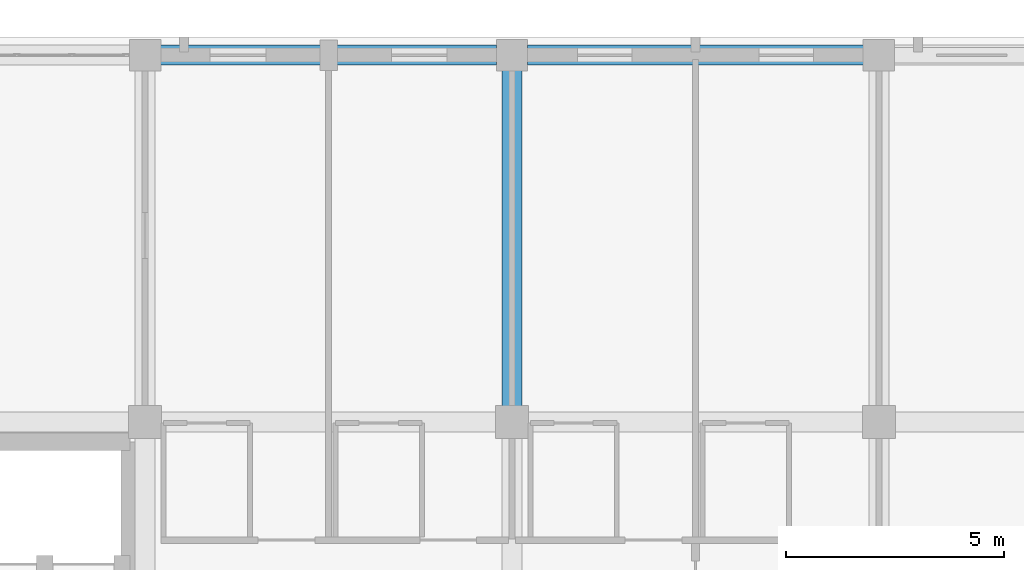
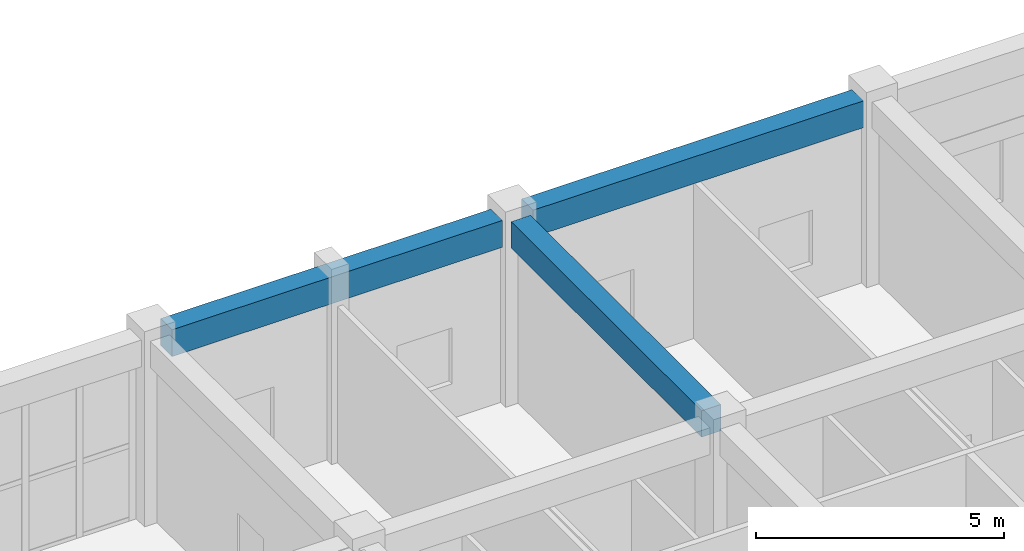
# One storey, part 63 of 158: 3 beams.
"""IFC4 building model written with IfcOpenShell, lengths in metres."""

from ifc_helpers import new_model, si_unit, direction, frame, origin, origin_2d, place, context, subcontext, project, spatial, rectangle, extrude, material, material_profile, profile_set, type_object, element, save


model = new_model("IFC4")

# Units and contexts
model_context = context("Model", 3, precision=1e-05, world=origin(), true_north=direction((0.0, 1.0)))
body_context = subcontext(model_context, "Body", "Model", "MODEL_VIEW")
ifc_project = project(units=[si_unit("LENGTHUNIT", "METRE"), si_unit("AREAUNIT", "SQUARE_METRE"), si_unit("VOLUMEUNIT", "CUBIC_METRE"), si_unit("PLANEANGLEUNIT", "RADIAN"), si_unit("MASSUNIT", "GRAM", prefix="KILO")], contexts=[model_context])

# Site, building, storey
site_placement = place(None, origin())
site = spatial("IfcSite", under=ifc_project, at=site_placement, CompositionType="ELEMENT")
building_placement = place(site_placement, origin())
building = spatial("IfcBuilding", under=site, at=building_placement, Name="Trelvath General Hospital", CompositionType="ELEMENT")
storey_placement = place(building_placement, frame((0.0, 0.0, 8.10009765625)))
storey = spatial("IfcBuildingStorey", under=building, at=storey_placement, Name="L02", CompositionType="ELEMENT", Elevation=8.10009765625)

# Beams
ifc_material_1 = material(Name="Concrete C35/45", Category="concrete")
ifc_material_profile_1 = material_profile(ifc_material_1, rectangle(XDim=0.449951171875, YDim=0.64990234375, at=origin_2d()), Name="RCB450x650")
ifc_profile_set_1 = profile_set([ifc_material_profile_1], Name="Concrete C35/45")
beam_type_1 = type_object("IfcBeamType", Name="Beam RC450x650", PredefinedType="BEAM", material=ifc_profile_set_1)
beam_1_placement = place(storey_placement, frame((58.800048828125, 109.570068359375, 4.19482421875), z_axis=(0.0, 1.0, 0.0), x_axis=(-1.0, 0.0, 0.0)))
element("IfcBeam", 1, at=beam_1_placement, inside=storey, type_object=beam_type_1, Name="Grid Beam BY-207N", PredefinedType="BEAM", context=body_context, shape_type="SweptSolid", body=[
    extrude(rectangle(XDim=0.449951171875, YDim=0.64990234375, at=origin_2d()), origin(), (0.0, 0.0, 1.0), 7.675048828125),
])
ifc_material_2 = material(Name="Concrete C35/45", Category="concrete")
ifc_material_profile_2 = material_profile(ifc_material_2, rectangle(XDim=0.4599609375, YDim=0.659912109375, at=origin_2d()), Name="RCB460x660")
ifc_profile_set_2 = profile_set([ifc_material_profile_2], Name="Concrete C35/45")
beam_type_2 = type_object("IfcBeamType", Name="Beam RC460x660", PredefinedType="BEAM", material=ifc_profile_set_2)
beam_2_placement = place(storey_placement, frame((50.7548828125, 117.60009765625, 4.18994140625), z_axis=(1.0, 0.0, 0.0), x_axis=(0.0, 1.0, 0.0)))
element("IfcBeam", 2, at=beam_2_placement, inside=storey, type_object=beam_type_2, Name="Grid Beam BX-206O", PredefinedType="BEAM", context=body_context, shape_type="SweptSolid", body=[
    extrude(rectangle(XDim=0.4599609375, YDim=0.659912109375, at=origin_2d()), origin(), (0.0, 0.0, 1.0), 7.690185546875),
])
beam_3_placement = place(storey_placement, frame((59.155029296875, 117.60009765625, 4.18994140625), z_axis=(1.0, 0.0, 0.0), x_axis=(0.0, 1.0, 0.0)))
element("IfcBeam", 3, at=beam_3_placement, inside=storey, type_object=beam_type_2, Name="Grid Beam BX-207O", PredefinedType="BEAM", context=body_context, shape_type="SweptSolid", body=[
    extrude(rectangle(XDim=0.4599609375, YDim=0.659912109375, at=origin_2d()), origin(), (0.0, 0.0, 1.0), 7.68994140625),
])

save(model, "model.ifc")
